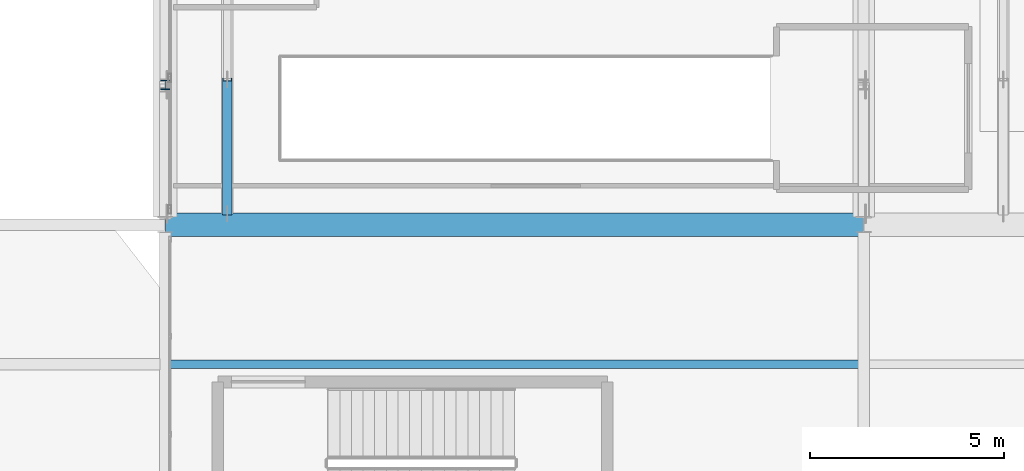
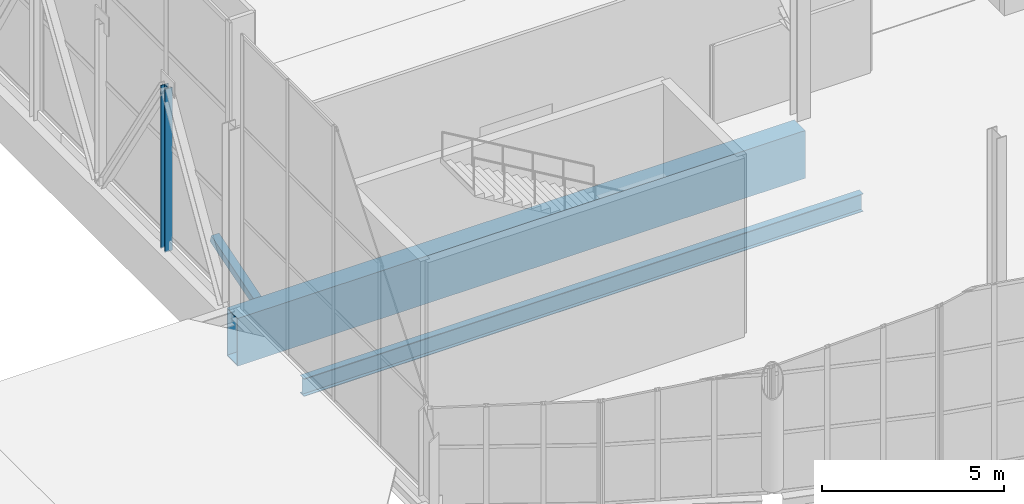
# One storey, part 30 of 191: 2 beams, 2 members.
"""IFC4 building model written with IfcOpenShell, lengths in metres."""

from ifc_helpers import new_model, si_unit, direction, frame, origin, origin_2d, place, context, subcontext, project, spatial, hollow_rectangle, i_section, extrude, material, material_profile, profile_set, type_object, element, save


model = new_model("IFC4")

# Units and contexts
model_context = context("Model", 3, precision=1e-05, world=origin(), true_north=direction((0.0, 1.0)))
body_context = subcontext(model_context, "Body", "Model", "MODEL_VIEW")
ifc_project = project(units=[si_unit("LENGTHUNIT", "METRE"), si_unit("AREAUNIT", "SQUARE_METRE"), si_unit("VOLUMEUNIT", "CUBIC_METRE"), si_unit("PLANEANGLEUNIT", "RADIAN"), si_unit("MASSUNIT", "GRAM", prefix="KILO")], contexts=[model_context])

# Site, building, storey
site_placement = place(None, origin())
site = spatial("IfcSite", under=ifc_project, at=site_placement, CompositionType="ELEMENT")
building_placement = place(site_placement, origin())
building = spatial("IfcBuilding", under=site, at=building_placement, Name="Tamarisk Ironworks Central Station", CompositionType="ELEMENT")
storey_placement = place(building_placement, frame((0.0, 0.0, 6.60009765625)))
storey = spatial("IfcBuildingStorey", under=building, at=storey_placement, Name="L01", CompositionType="ELEMENT", Elevation=6.60009765625)

# Beams
ifc_material_1 = material(Name="Structural steel S355J2", Category="steel")
ifc_material_profile_1 = material_profile(ifc_material_1, i_section(OverallWidth=0.219970703125, OverallDepth=0.60009765625, WebThickness=0.011962890625, FlangeThickness=0.01904296875, at=origin_2d()), Name="IPE 600")
ifc_profile_set_1 = profile_set([ifc_material_profile_1], Name="Structural steel S355J2")
beam_type_1 = type_object("IfcBeamType", Name="BM-B01", PredefinedType="BEAM", material=ifc_profile_set_1)
beam_1_placement = place(storey_placement, frame((54.135009765625, 18.0, -0.60009765625), z_axis=(1.0, 0.0, 0.0), x_axis=(0.0, 1.0, 0.0)))
element("IfcBeam", 1, at=beam_1_placement, inside=storey, type_object=beam_type_1, Name="L01 secondary composite beam 0001", PredefinedType="BEAM", context=body_context, shape_type="SweptSolid", body=[
    extrude(i_section(OverallWidth=0.219970703125, OverallDepth=0.60009765625, WebThickness=0.011962890625, FlangeThickness=0.01904296875, at=origin_2d()), origin(), (0.0, 0.0, 1.0), 17.72998046875),
])
ifc_material_profile_2 = material_profile(ifc_material_1, hollow_rectangle(XDim=0.60009765625, YDim=1.60009765625, WallThickness=0.031982421875, at=origin_2d()), Name="BOX 600x1600x32")
ifc_profile_set_2 = profile_set([ifc_material_profile_2], Name="Structural steel S355J2")
beam_type_2 = type_object("IfcBeamType", Name="BM-TG01", PredefinedType="USERDEFINED", material=ifc_profile_set_2)
beam_2_placement = place(storey_placement, frame((54.00390625, 21.60009765625, -1.10009765625), z_axis=(1.0, 0.0, 0.0), x_axis=(0.0, 1.0, 0.0)))
element("IfcBeam", 2, at=beam_2_placement, inside=storey, type_object=beam_type_2, Name="L01 primary girder X-0033", ObjectType="TRANSFER GIRDER", PredefinedType="USERDEFINED", context=body_context, shape_type="SweptSolid", body=[
    extrude(hollow_rectangle(XDim=0.60009765625, YDim=1.60009765625, WallThickness=0.031982421875, at=origin_2d()), origin(), (0.0, 0.0, 1.0), 17.9921875),
])

# Members
ifc_material_2 = material(Name="Structural steel S355J2H", Category="steel")
ifc_material_profile_3 = material_profile(ifc_material_2, hollow_rectangle(XDim=0.25, YDim=0.25, WallThickness=0.012451171875, at=origin_2d()), Name="SHS 250x250x12.5")
ifc_profile_set_3 = profile_set([ifc_material_profile_3], Name="Structural steel S355J2H")
member_type_1 = type_object("IfcMemberType", Name="MB-BR01", PredefinedType="BRACE", material=ifc_profile_set_3)
member_1_placement = place(storey_placement, frame((55.60009765625, 21.8798828125, -1.64013671875), z_axis=(0.0, 0.956137121505, 0.29291945118), x_axis=(-1.0, 0.0, 0.0)))
element("IfcMember", 3, at=member_1_placement, inside=storey, type_object=member_type_1, Name="Bridge deck stiffening web brace 115", PredefinedType="BRACE", context=body_context, shape_type="SweptSolid", body=[
    extrude(hollow_rectangle(XDim=0.25, YDim=0.25, WallThickness=0.012451171875, at=origin_2d()), origin(), (0.0, 0.0, 1.0), 3.618896484375),
])
ifc_material_profile_4 = material_profile(ifc_material_1, i_section(OverallWidth=0.239990234375, OverallDepth=0.239990234375, WebThickness=0.010009765625, FlangeThickness=0.01708984375, at=origin_2d()), Name="HEB 240")
ifc_profile_set_4 = profile_set([ifc_material_profile_4], Name="Structural steel S355J2")
member_type_2 = type_object("IfcMemberType", Name="MB-TTP02", PredefinedType="POST", material=ifc_profile_set_4)
member_2_placement = place(storey_placement, frame((54.0, 25.199951171875, -0.340087890625), z_axis=(0.0, 0.0, 1.0), x_axis=(1.0, 0.0, 0.0)))
element("IfcMember", 4, at=member_2_placement, inside=storey, type_object=member_type_2, Name="Transfer truss vertical post 003", PredefinedType="POST", context=body_context, shape_type="SweptSolid", body=[
    extrude(i_section(OverallWidth=0.239990234375, OverallDepth=0.239990234375, WebThickness=0.010009765625, FlangeThickness=0.01708984375, at=origin_2d()), origin(), (0.0, 0.0, 1.0), 5.4599609375),
])

save(model, "model.ifc")
